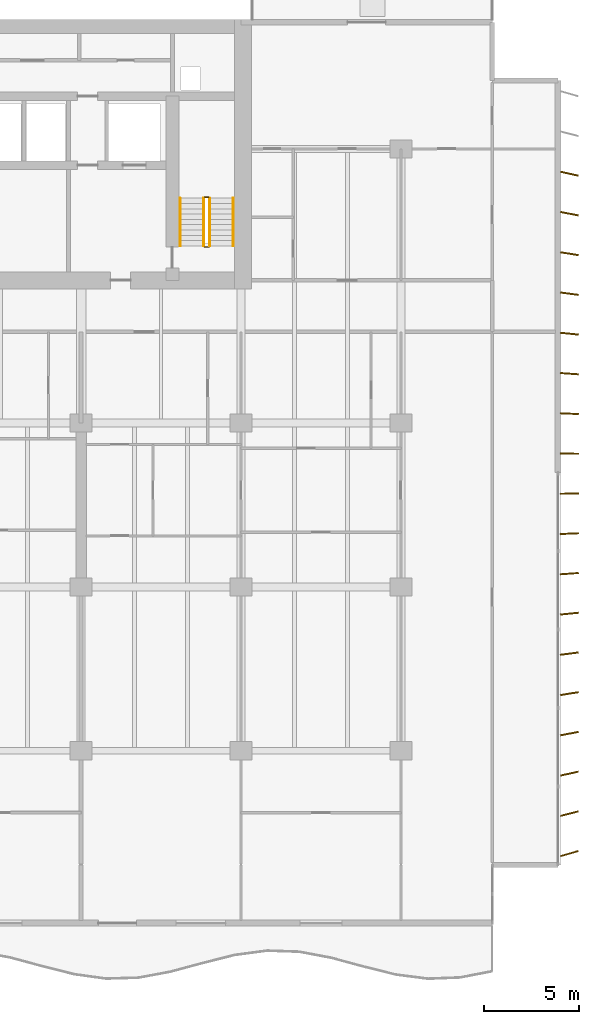
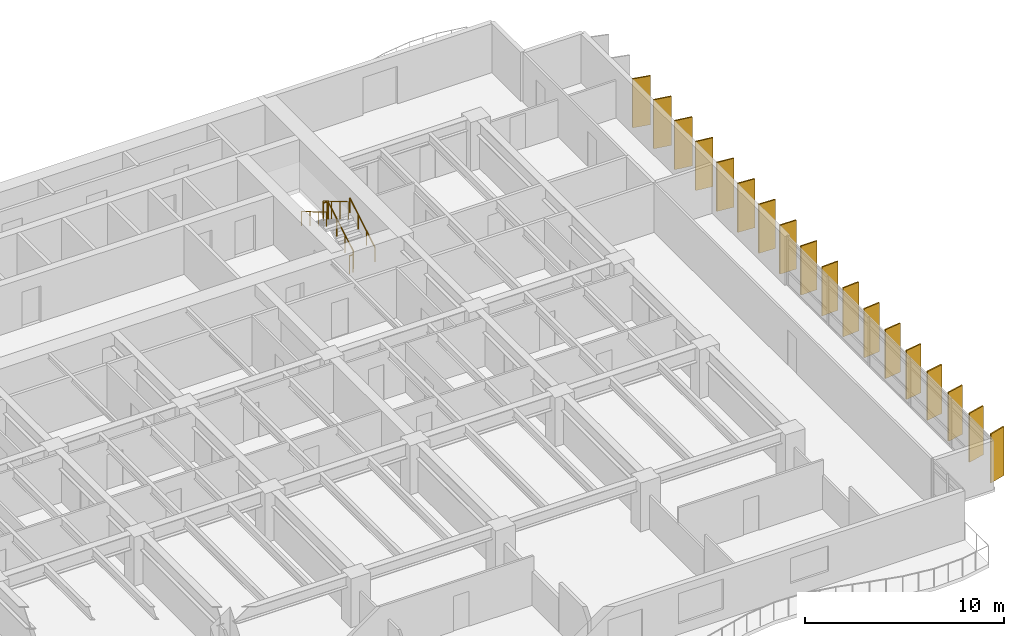
# One storey, part 14 of 15: 18 shading devices, 6 railings.
"""IFC4 building model written with IfcOpenShell, lengths in metres."""

from ifc_helpers import new_model, si_unit, direction, frame, origin, origin_2d, place, context, subcontext, project, spatial, rectangle, circle, extrude, material, material_profile, profile_set, type_object, element, save


model = new_model("IFC4")

# Units and contexts
model_context = context("Model", 3, precision=1e-05, world=origin(), true_north=direction((0.0, 1.0)))
body_context = subcontext(model_context, "Body", "Model", "MODEL_VIEW")
ifc_project = project(units=[si_unit("LENGTHUNIT", "METRE"), si_unit("AREAUNIT", "SQUARE_METRE"), si_unit("VOLUMEUNIT", "CUBIC_METRE"), si_unit("PLANEANGLEUNIT", "RADIAN"), si_unit("MASSUNIT", "GRAM", prefix="KILO")], contexts=[model_context])

# Site, building, storey
site_placement = place(None, origin())
site = spatial("IfcSite", under=ifc_project, at=site_placement, CompositionType="ELEMENT")
building_placement = place(site_placement, origin())
building = spatial("IfcBuilding", under=site, at=building_placement, Name="Caelmar Bay Residences", CompositionType="ELEMENT")
storey_placement = place(building_placement, frame((0.0, 0.0, 76.199951171875)))
storey = spatial("IfcBuildingStorey", under=building, at=storey_placement, Name="L20", CompositionType="ELEMENT", Elevation=76.199951171875)

# Railings
ifc_material_1 = material(Name="Painted galvanized steel stair guard 1100 mm", Category="steel")
railing_type_1 = type_object("IfcRailingType", Name="RL-GRD-1100", PredefinedType="GUARDRAIL", material=ifc_material_1)
railing_1_placement = place(storey_placement, frame((57.85009765625, 38.699951171875, 0.1650390625)))
element("IfcRailing", 1, at=railing_1_placement, inside=storey, type_object=railing_type_1, Name="L20 ST2 stair guard 1", PredefinedType="GUARDRAIL", context=body_context, shape_type="SweptSolid", body=[
    extrude(circle(Radius=0.02392578125, at=origin_2d()), frame((0.0, 0.0, 1.076171875), z_axis=(0.0, 0.86152411907, 0.507716645641), x_axis=(-1.0, 0.0, 0.0)), (0.0, 0.0, 1.0), 2.925048828125),
    extrude(circle(Radius=0.02099609375, at=origin_2d()), origin(), (0.0, 0.0, 1.0), 1.052001953125),
    extrude(circle(Radius=0.02099609375, at=origin_2d()), frame((0.0, 0.840087890625, 0.4951171875)), (0.0, 0.0, 1.0), 1.052001953125),
    extrude(circle(Radius=0.02099609375, at=origin_2d()), frame((0.0, 1.679931640625, 0.989990234375)), (0.0, 0.0, 1.0), 1.052001953125),
    extrude(circle(Radius=0.02099609375, at=origin_2d()), frame((0.0, 2.52001953125, 1.485107421875)), (0.0, 0.0, 1.0), 1.052001953125),
])
railing_2_placement = place(storey_placement, frame((57.800048828125, 41.27001953125, 1.650146484375)))
element("IfcRailing", 2, at=railing_2_placement, inside=storey, type_object=railing_type_1, Name="L20 ST2 stair guard 2", PredefinedType="GUARDRAIL", context=body_context, shape_type="SweptSolid", body=[
    extrude(circle(Radius=0.02392578125, at=origin_2d()), frame((0.0, 0.0, 1.076171875), z_axis=(-1.0, 0.0, 0.0), x_axis=(0.0, -1.0, 0.0)), (0.0, 0.0, 1.0), 0.199951171875),
    extrude(circle(Radius=0.02099609375, at=origin_2d()), origin(), (0.0, 0.0, 1.0), 1.052001953125),
    extrude(circle(Radius=0.02099609375, at=origin_2d()), frame((-0.199951171875, 0.0, 0.0)), (0.0, 0.0, 1.0), 1.052001953125),
])
railing_3_placement = place(storey_placement, frame((57.550048828125, 41.219970703125, 1.81494140625)))
element("IfcRailing", 3, at=railing_3_placement, inside=storey, type_object=railing_type_1, Name="L20 ST2 stair guard 3", PredefinedType="GUARDRAIL", context=body_context, shape_type="SweptSolid", body=[
    extrude(circle(Radius=0.02392578125, at=origin_2d()), frame((0.0, 0.0, 1.076171875), z_axis=(0.0, -0.86152411907, 0.507716645641), x_axis=(1.0, 0.0, 0.0)), (0.0, 0.0, 1.0), 2.925048828125),
    extrude(circle(Radius=0.02099609375, at=origin_2d()), origin(), (0.0, 0.0, 1.0), 1.052001953125),
    extrude(circle(Radius=0.02099609375, at=origin_2d()), frame((0.0, -0.840087890625, 0.4951171875)), (0.0, 0.0, 1.0), 1.052001953125),
    extrude(circle(Radius=0.02099609375, at=origin_2d()), frame((0.0, -1.679931640625, 0.989990234375)), (0.0, 0.0, 1.0), 1.052001953125),
    extrude(circle(Radius=0.02099609375, at=origin_2d()), frame((0.0, -2.52001953125, 1.485107421875)), (0.0, 0.0, 1.0), 1.052001953125),
])
railing_4_placement = place(storey_placement, frame((57.800048828125, 38.64990234375, 0.0)))
element("IfcRailing", 4, at=railing_4_placement, inside=storey, type_object=railing_type_1, Name="L20 ST2 stair guard 4", PredefinedType="GUARDRAIL", context=body_context, shape_type="SweptSolid", body=[
    extrude(circle(Radius=0.02392578125, at=origin_2d()), frame((0.0, 0.0, 1.076171875), z_axis=(-1.0, 0.0, 0.0), x_axis=(0.0, -1.0, 0.0)), (0.0, 0.0, 1.0), 0.199951171875),
    extrude(circle(Radius=0.02099609375, at=origin_2d()), origin(), (0.0, 0.0, 1.0), 1.052001953125),
    extrude(circle(Radius=0.02099609375, at=origin_2d()), frame((-0.199951171875, 0.0, 0.0)), (0.0, 0.0, 1.0), 1.052001953125),
])
ifc_material_2 = material(Name="Brushed bronze stainless-steel tubular handrail 900 mm", Category="steel")
railing_type_2 = type_object("IfcRailingType", Name="RL-HND-900", PredefinedType="HANDRAIL", material=ifc_material_2)
railing_5_placement = place(storey_placement, frame((59.10009765625, 38.699951171875, 0.1650390625)))
element("IfcRailing", 5, at=railing_5_placement, inside=storey, type_object=railing_type_2, Name="L20 ST2 stair handrail 1", PredefinedType="HANDRAIL", context=body_context, shape_type="SweptSolid", body=[
    extrude(circle(Radius=0.02392578125, at=origin_2d()), frame((0.0, 0.0, 0.8759765625), z_axis=(0.0, 0.86152411907, 0.507716645641), x_axis=(-1.0, 0.0, 0.0)), (0.0, 0.0, 1.0), 2.925048828125),
    extrude(circle(Radius=0.02099609375, at=origin_2d()), origin(), (0.0, 0.0, 1.0), 0.851806640625),
    extrude(circle(Radius=0.02099609375, at=origin_2d()), frame((0.0, 0.840087890625, 0.4951171875)), (0.0, 0.0, 1.0), 0.851806640625),
    extrude(circle(Radius=0.02099609375, at=origin_2d()), frame((0.0, 1.679931640625, 0.989990234375)), (0.0, 0.0, 1.0), 0.851806640625),
    extrude(circle(Radius=0.02099609375, at=origin_2d()), frame((0.0, 2.52001953125, 1.485107421875)), (0.0, 0.0, 1.0), 0.851806640625),
])
railing_6_placement = place(storey_placement, frame((56.300048828125, 41.219970703125, 1.81494140625)))
element("IfcRailing", 6, at=railing_6_placement, inside=storey, type_object=railing_type_2, Name="L20 ST2 stair handrail 2", PredefinedType="HANDRAIL", context=body_context, shape_type="SweptSolid", body=[
    extrude(circle(Radius=0.02392578125, at=origin_2d()), frame((0.0, 0.0, 0.8759765625), z_axis=(0.0, -0.86152411907, 0.507716645641), x_axis=(1.0, 0.0, 0.0)), (0.0, 0.0, 1.0), 2.925048828125),
    extrude(circle(Radius=0.02099609375, at=origin_2d()), origin(), (0.0, 0.0, 1.0), 0.851806640625),
    extrude(circle(Radius=0.02099609375, at=origin_2d()), frame((0.0, -0.840087890625, 0.4951171875)), (0.0, 0.0, 1.0), 0.851806640625),
    extrude(circle(Radius=0.02099609375, at=origin_2d()), frame((0.0, -1.679931640625, 0.989990234375)), (0.0, 0.0, 1.0), 0.851806640625),
    extrude(circle(Radius=0.02099609375, at=origin_2d()), frame((0.0, -2.52001953125, 1.485107421875)), (0.0, 0.0, 1.0), 0.851806640625),
])

# Shading devices
ifc_material_3 = material(Name="Anodised architectural bronze aluminium 6063-T6", Category="aluminium")
ifc_material_profile = material_profile(ifc_material_3, rectangle(XDim=0.074951171875, YDim=0.949951171875, at=origin_2d()), Name="BRONZE-FIN-75X950")
ifc_profile_set = profile_set([ifc_material_profile], Name="Anodised architectural bronze aluminium 6063-T6")
shading_device_type = type_object("IfcShadingDeviceType", Name="SHD-FIN-950", PredefinedType="USERDEFINED", material=ifc_profile_set)
for number, where, z_axis, x_axis, name in (
    (7, (76.75, 6.800048828125, 0.0), (0.0, 0.0, 1.0), (-0.275637355817, 0.961261695938, 0.0), "L20 East Bronze Solar Fin 1"),
    (8, (76.75, 8.89990234375, 0.0), (0.0, 0.0, 1.0), (-0.247337247968, 0.968929453452, 0.0), "L20 East Bronze Solar Fin 2"),
    (9, (76.75, 11.0, 0.0), (0.0, 0.0, 1.0), (-0.218654200292, 0.975802408633, 0.0), "L20 East Bronze Solar Fin 3"),
    (10, (76.75, 13.10009765625, 0.0), (0.0, 0.0, 1.0), (-0.189952291512, 0.981793321911, 0.0), "L20 East Bronze Solar Fin 4"),
    (11, (76.75, 15.199951171875, 0.0), (0.0, 0.0, 1.0), (-0.160914826518, 0.986968296657, 0.0), "L20 East Bronze Solar Fin 5"),
    (12, (76.75, 17.300048828125, 0.0), (0.0, 0.0, 1.0), (-0.131910382711, 0.991261646052, 0.0), "L20 East Bronze Solar Fin 6"),
    (13, (76.75, 19.39990234375, 0.0), (0.0, 0.0, 1.0), (-0.10261892683, 0.994720742649, 0.0), "L20 East Bronze Solar Fin 7"),
    (14, (76.75, 21.5, 0.0), (0.0, 0.0, 1.0), (-0.073412260224, 0.997301679558, 0.0), "L20 East Bronze Solar Fin 8"),
    (15, (76.75, 23.60009765625, 0.0), (0.0, 0.0, 1.0), (-0.044142481788, 0.999025245578, 0.0), "L20 East Bronze Solar Fin 9"),
    (16, (76.75, 25.699951171875, 0.0), (0.0, 0.0, 1.0), (-0.01466024053, 0.999892532899, 0.0), "L20 East Bronze Solar Fin 10"),
    (17, (76.75, 27.800048828125, 0.0), (0.0, 0.0, 1.0), (0.01466024053, 0.999892532899, 0.0), "L20 East Bronze Solar Fin 11"),
    (18, (76.75, 29.89990234375, 0.0), (0.0, 0.0, 1.0), (0.044142481788, 0.999025245578, 0.0), "L20 East Bronze Solar Fin 12"),
    (19, (76.75, 32.0, 0.0), (0.0, 0.0, 1.0), (0.073412260224, 0.997301679558, 0.0), "L20 East Bronze Solar Fin 13"),
    (20, (76.75, 34.10009765625, 0.0), (0.0, 0.0, 1.0), (0.10261892683, 0.994720742649, 0.0), "L20 East Bronze Solar Fin 14"),
    (21, (76.75, 36.199951171875, 0.0), (0.0, 0.0, 1.0), (0.131910382711, 0.991261646052, 0.0), "L20 East Bronze Solar Fin 15"),
    (22, (76.75, 38.300048828125, 0.0), (0.0, 0.0, 1.0), (0.160914826518, 0.986968296657, 0.0), "L20 East Bronze Solar Fin 16"),
    (23, (76.75, 40.39990234375, 0.0), (0.0, 0.0, 1.0), (0.189952291512, 0.981793321911, 0.0), "L20 East Bronze Solar Fin 17"),
    (24, (76.75, 42.5, 0.0), (0.0, 0.0, 1.0), (0.218654200292, 0.975802408633, 0.0), "L20 East Bronze Solar Fin 18"),
):
    element("IfcShadingDevice", number, at=place(storey_placement, frame(where, z_axis=z_axis, x_axis=x_axis)), inside=storey, type_object=shading_device_type, Name=name, ObjectType="FIN", PredefinedType="USERDEFINED", context=body_context, shape_type="SweptSolid", body=[
        extrude(rectangle(XDim=0.074951171875, YDim=0.949951171875, at=origin_2d()), origin(), (0.0, 0.0, 1.0), 3.0),
    ])

save(model, "model.ifc")
